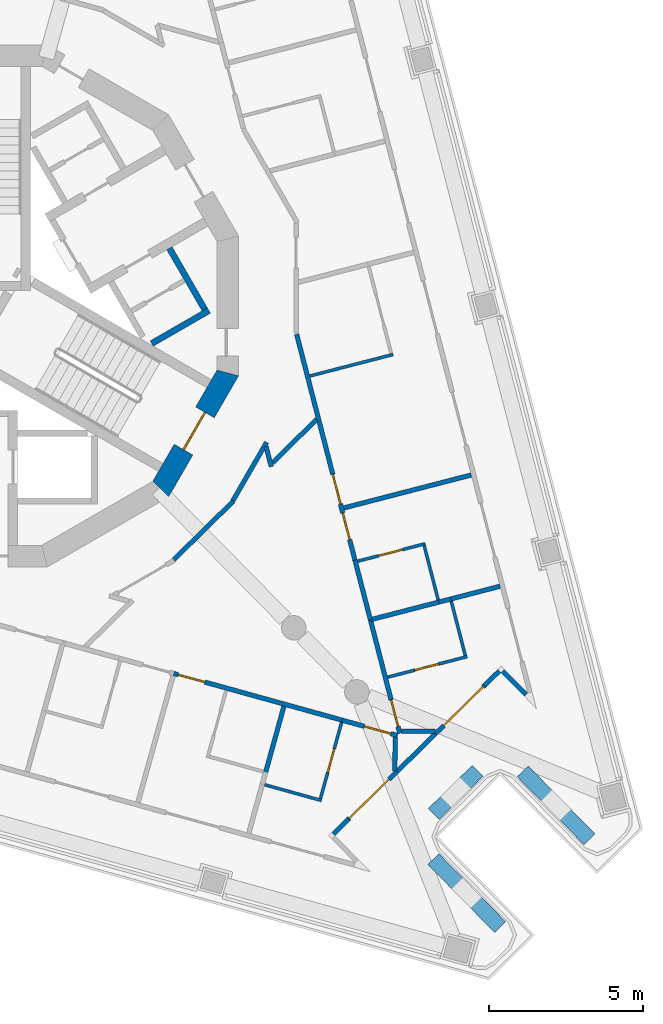
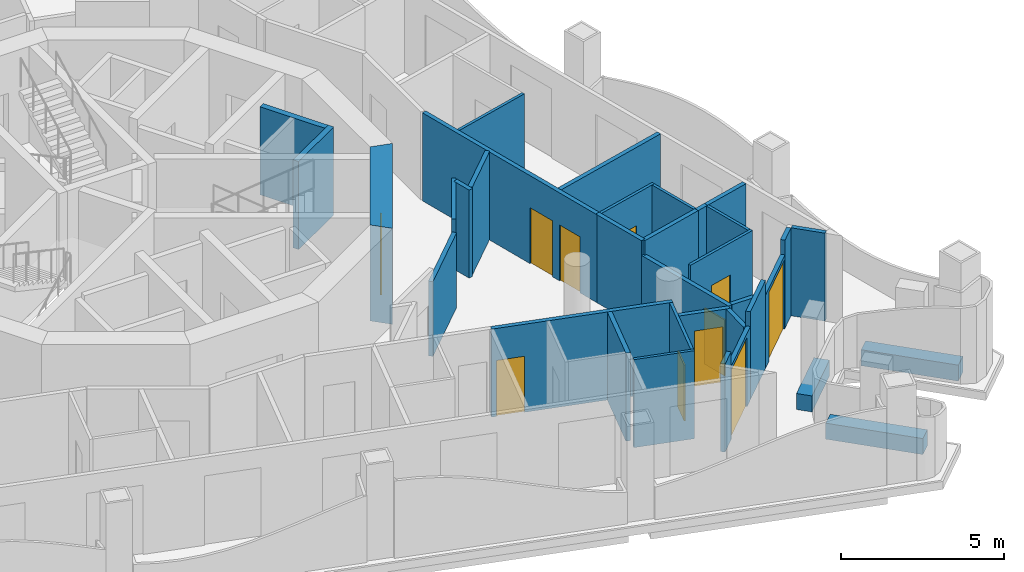
# One storey, part 6 of 14: 35 walls, 11 doors, 11 openings.
"""IFC4 building model written with IfcOpenShell, lengths in metres."""

from ifc_helpers import new_model, si_unit, direction, frame, frame_2d, origin, place, context, subcontext, project, spatial, polyline, rectangle, outline, extrude, material, layer, layer_set, type_object, element, fill, save


model = new_model("IFC4")

# Units and contexts
model_context = context("Model", 3, precision=1e-05, world=origin(), true_north=direction((0.0, 1.0)))
body_context = subcontext(model_context, "Body", "Model", "MODEL_VIEW")
ifc_project = project(units=[si_unit("LENGTHUNIT", "METRE"), si_unit("AREAUNIT", "SQUARE_METRE"), si_unit("VOLUMEUNIT", "CUBIC_METRE"), si_unit("PLANEANGLEUNIT", "RADIAN"), si_unit("MASSUNIT", "GRAM", prefix="KILO")], contexts=[model_context])

# Site, building, storey
site_placement = place(None, origin())
site = spatial("IfcSite", under=ifc_project, at=site_placement, CompositionType="ELEMENT")
building_placement = place(site_placement, origin())
building = spatial("IfcBuilding", under=site, at=building_placement, Name="Trine Commons Tower", CompositionType="ELEMENT")
storey_placement = place(building_placement, frame((0.0, 0.0, 249.300048828125)))
storey = spatial("IfcBuildingStorey", under=building, at=storey_placement, Name="L65", CompositionType="ELEMENT", Elevation=249.300048828125)

# Walls
ifc_material_1 = material(Name="Aluminium-framed insulated wall panel", Category="aluminium")
ifc_layer_1 = layer(ifc_material_1, 0.14990234375)
ifc_layer_set_1 = layer_set([ifc_layer_1], Name="Aluminium-framed insulated wall panel")
wall_type_1 = type_object("IfcWallType", Name="Glazed frame wall 150, EI 60", PredefinedType="SOLIDWALL", material=ifc_layer_set_1)
wall_1_placement = place(storey_placement, frame((97.966796875, 49.731201171875, 0.0), z_axis=(0.0, 0.0, 1.0), x_axis=(-0.700999978355, 0.71316129336, 0.0)))
element("IfcWall", 1, at=wall_1_placement, inside=storey, type_object=wall_type_1, Name="Glazed frame wall R6", PredefinedType="SOLIDWALL", context=body_context, shape_type="SweptSolid", body=[
    extrude(outline(polyline([(0.1494140625, 0.074951171875), (0.1494140625, -0.074951171875), (1.235107421875, -0.074951171875), (1.235107421875, 0.074951171875), (0.1494140625, 0.074951171875)])), origin(), (0.0, 0.0, 1.0), 3.300048828125),
])
wall_2_placement = place(storey_placement, frame((97.073486328125, 50.690185546875, 0.0), z_axis=(0.0, 0.0, 1.0), x_axis=(-0.713183853176, -0.700977026421, 0.0)))
element("IfcWall", 2, at=wall_2_placement, inside=storey, type_object=wall_type_1, Name="Glazed frame wall P2.1", PredefinedType="SOLIDWALL", context=body_context, shape_type="SweptSolid", body=[
    extrude(outline(polyline([(0.110107421875, -0.074951171875), (0.800048828125, -0.074951171875), (0.800048828125, 0.074951171875), (0.110107421875, 0.074951171875), (0.110107421875, -0.074951171875)])), origin(), (0.0, 0.0, 1.0), 3.300048828125),
])

# Wall, opening, door
wall_3_placement = place(storey_placement, frame((96.5029296875, 50.12939453125, 0.0), z_axis=(0.0, 0.0, 1.0), x_axis=(-0.713289197044, -0.70086983198, 0.0)))
wall_3 = element("IfcWall", 3, at=wall_3_placement, inside=storey, type_object=wall_type_1, Name="Glazed frame wall P2.2", PredefinedType="SOLIDWALL", context=body_context, shape_type="SweptSolid", body=[
    extrude(outline(polyline([(0.0, -0.074951171875), (2.221435546875, -0.074951171875), (2.221435546875, 0.074951171875), (0.0, 0.074951171875), (0.0, -0.074951171875)])), origin(), (0.0, 0.0, 1.0), 2.75),
])
opening_1_placement = place(wall_3_placement, frame((0.050048828125, 0.0, 0.0)))
opening_1 = element("IfcOpeningElement", 4, at=opening_1_placement, cuts=wall_3, Name="Opening BD-7P2-01", PredefinedType="OPENING", context=body_context, shape_type="SweptSolid", body=[
    extrude(rectangle(XDim=1.800048828125, YDim=2.60009765625, at=frame_2d((0.89990234375, 1.300048828125))), frame((0.0, 0.0849609375, 0.0), z_axis=(0.0, -1.0, 0.0), x_axis=(1.0, 0.0, 0.0)), (0.0, 0.0, 1.0), 0.169921875),
])
ifc_material_2 = material(Name="Anodised aluminium frame with double glazing", Category="aluminium")
door_type_1 = type_object("IfcDoorType", Name="Sliding loggia door 1800x2600", OperationType="SLIDING_TO_LEFT", PredefinedType="DOOR", material=ifc_material_2)
door_1_placement = place(opening_1_placement, origin())
door_1 = element("IfcDoor", 5, at=door_1_placement, inside=storey, type_object=door_type_1, Name="Loggia door P2 1", OperationType="SLIDING_TO_LEFT", OverallHeight=2.60009765625, OverallWidth=1.800048828125, PredefinedType="DOOR", context=body_context, shape_type="SweptSolid", body=[
    extrude(rectangle(XDim=1.800048828125, YDim=2.60009765625, at=frame_2d((0.89990234375, 1.300048828125))), frame((0.0, 0.02490234375, 0.0), z_axis=(0.0, -1.0, 0.0), x_axis=(1.0, 0.0, 0.0)), (0.0, 0.0, 1.0), 0.050048828125),
])
fill(opening_1, door_1)

# Wall
wall_4_placement = place(storey_placement, frame((94.91845703125, 48.572509765625, 0.0), z_axis=(0.0, 0.0, 1.0), x_axis=(-0.713193839807, -0.700966865737, 0.0)))
element("IfcWall", 6, at=wall_4_placement, inside=storey, type_object=wall_type_1, Name="Glazed frame wall P2.3", PredefinedType="SOLIDWALL", context=body_context, shape_type="SweptSolid", body=[
    extrude(outline(polyline([(0.0, -0.074951171875), (1.757080078125, -0.074951171875), (1.757080078125, 0.074951171875), (0.0, 0.074951171875), (0.0, -0.074951171875)])), origin(), (0.0, 0.0, 1.0), 3.300048828125),
])

# Wall, opening, door
wall_5_placement = place(storey_placement, frame((93.665283203125, 47.3408203125, 0.0), z_axis=(0.0, 0.0, 1.0), x_axis=(-0.713234254618, -0.700925743599, 0.0)))
wall_5 = element("IfcWall", 7, at=wall_5_placement, inside=storey, type_object=wall_type_1, Name="Glazed frame wall P2.4", PredefinedType="SOLIDWALL", context=body_context, shape_type="SweptSolid", body=[
    extrude(outline(polyline([(0.0, -0.074951171875), (2.221435546875, -0.074951171875), (2.221435546875, 0.074951171875), (0.0, 0.074951171875), (0.0, -0.074951171875)])), origin(), (0.0, 0.0, 1.0), 2.75),
])
opening_2_placement = place(wall_5_placement, frame((0.37158203125, 0.0, 0.0)))
opening_2 = element("IfcOpeningElement", 8, at=opening_2_placement, cuts=wall_5, Name="Opening BD-7P2-02", PredefinedType="OPENING", context=body_context, shape_type="SweptSolid", body=[
    extrude(rectangle(XDim=1.800048828125, YDim=2.60009765625, at=frame_2d((0.89990234375, 1.300048828125))), frame((0.0, 0.0849609375, 0.0), z_axis=(0.0, -1.0, 0.0), x_axis=(1.0, 0.0, 0.0)), (0.0, 0.0, 1.0), 0.169921875),
])
door_2_placement = place(opening_2_placement, origin())
door_2 = element("IfcDoor", 9, at=door_2_placement, inside=storey, type_object=door_type_1, Name="Loggia door P2 2", OperationType="SLIDING_TO_LEFT", OverallHeight=2.60009765625, OverallWidth=1.800048828125, PredefinedType="DOOR", context=body_context, shape_type="SweptSolid", body=[
    extrude(rectangle(XDim=1.800048828125, YDim=2.60009765625, at=frame_2d((0.89990234375, 1.300048828125))), frame((0.0, 0.02490234375, 0.0), z_axis=(0.0, -1.0, 0.0), x_axis=(1.0, 0.0, 0.0)), (0.0, 0.0, 1.0), 0.050048828125),
])
fill(opening_2, door_2)

# Walls
wall_6_placement = place(storey_placement, frame((92.080810546875, 45.78369140625, 0.0), z_axis=(0.0, 0.0, 1.0), x_axis=(-0.713333755576, -0.700824480991, 0.0)))
element("IfcWall", 10, at=wall_6_placement, inside=storey, type_object=wall_type_1, Name="Glazed frame wall P2.5", PredefinedType="SOLIDWALL", context=body_context, shape_type="SweptSolid", body=[
    extrude(outline(polyline([(0.68994140625, 0.074951171875), (0.0, 0.074951171875), (0.0, -0.074951171875), (0.68994140625, -0.074951171875), (0.68994140625, 0.074951171875)])), origin(), (0.0, 0.0, 1.0), 3.300048828125),
])
ifc_material_3 = material(Name="Planter trough, precast concrete C40/50", Category="concrete")
ifc_layer_2 = layer(ifc_material_3, 0.5)
ifc_layer_set_2 = layer_set([ifc_layer_2], Name="Planter trough, precast concrete C40/50")
wall_type_2 = type_object("IfcWallType", Name="Planter trough 500x600", PredefinedType="PARAPET", material=ifc_layer_set_2)
wall_7_placement = place(storey_placement, frame((99.927734375, 45.1318359375, 0.0), z_axis=(0.0, 0.0, 1.0), x_axis=(-0.700897681372, 0.713261831481, 0.0)))
element("IfcWall", 11, at=wall_7_placement, inside=storey, type_object=wall_type_2, Name="Planter 7", PredefinedType="PARAPET", context=body_context, shape_type="SweptSolid", body=[
    extrude(rectangle(XDim=3.10009765625, YDim=0.5, at=frame_2d((1.550048828125, 0.0))), origin(), (0.0, 0.0, 1.0), 0.599853515625),
])
wall_8_placement = place(storey_placement, frame((96.2841796875, 47.355712890625, 0.0), z_axis=(0.0, 0.0, 1.0), x_axis=(-0.713305380591, -0.700853361282, 0.0)))
element("IfcWall", 12, at=wall_8_placement, inside=storey, type_object=wall_type_2, Name="Planter 8", PredefinedType="PARAPET", context=body_context, shape_type="SweptSolid", body=[
    extrude(rectangle(XDim=1.999755859375, YDim=0.5, at=frame_2d((1.0, 0.0))), origin(), (0.0, 0.0, 1.0), 0.599853515625),
])
wall_9_placement = place(storey_placement, frame((94.844970703125, 44.4833984375, 0.0), z_axis=(0.0, 0.0, 1.0), x_axis=(0.700857613291, -0.713301202784, 0.0)))
element("IfcWall", 13, at=wall_9_placement, inside=storey, type_object=wall_type_2, Name="Planter 9", PredefinedType="PARAPET", context=body_context, shape_type="SweptSolid", body=[
    extrude(rectangle(XDim=3.099853515625, YDim=0.5, at=frame_2d((1.5498046875, 0.0))), origin(), (0.0, 0.0, 1.0), 0.599853515625),
])

# Wall, opening, door
ifc_material_4 = material(Name="Concrete C50/60", Category="concrete")
ifc_layer_3 = layer(ifc_material_4, 0.699951171875)
ifc_layer_set_3 = layer_set([ifc_layer_3], Name="Concrete C50/60")
wall_type_3 = type_object("IfcWallType", Name="RC shear wall 700 mm, C50/60", PredefinedType="SHEAR", material=ifc_layer_set_3)
wall_10_placement = place(storey_placement, frame((85.91943359375, 56.452392578125, 0.0), z_axis=(0.0, 0.0, 1.0), x_axis=(0.499983800959, 0.866034756103, 0.0)))
wall_10 = element("IfcWall", 14, at=wall_10_placement, inside=storey, type_object=wall_type_3, Name="Core wall CWG-12 L65", PredefinedType="SHEAR", context=body_context, shape_type="SweptSolid", body=[
    extrude(outline(polyline([(0.0, -0.35009765625), (4.55517578125, -0.35009765625), (4.36767578125, 0.35009765625), (0.1875, 0.35009765625), (0.0, -0.35009765625)])), origin(), (0.0, 0.0, 1.0), 3.599853515625),
])
opening_3_placement = place(wall_10_placement, frame((1.577392578125, 0.0, 0.0)))
opening_3 = element("IfcOpeningElement", 15, at=opening_3_placement, cuts=wall_10, Name="Opening K15.03", PredefinedType="OPENING", context=body_context, shape_type="SweptSolid", body=[
    extrude(rectangle(XDim=1.39990234375, YDim=2.10009765625, at=frame_2d((0.699951171875, 1.050048828125))), frame((0.0, 0.35986328125, 0.0), z_axis=(0.0, -1.0, 0.0), x_axis=(1.0, 0.0, 0.0)), (0.0, 0.0, 1.0), 0.719970703125),
])
ifc_material_5 = material(Name="Steel door leaves, fire-rated", Category="steel")
door_type_2 = type_object("IfcDoorType", Name="Stair door, double leaf 1400 x 2100, FD90", OperationType="DOUBLE_DOOR_SINGLE_SWING", PredefinedType="DOOR", material=ifc_material_5)
door_3_placement = place(opening_3_placement, origin())
door_3 = element("IfcDoor", 16, at=door_3_placement, inside=storey, type_object=door_type_2, Name="Stair door to Exit stair ST3C L65", OperationType="DOUBLE_DOOR_SINGLE_SWING", OverallHeight=2.10009765625, OverallWidth=1.39990234375, PredefinedType="DOOR", context=body_context, shape_type="SweptSolid", body=[
    extrude(rectangle(XDim=1.39990234375, YDim=2.10009765625, at=frame_2d((0.699951171875, 1.050048828125))), frame((0.0, 0.02490234375, 0.0), z_axis=(0.0, -1.0, 0.0), x_axis=(1.0, 0.0, 0.0)), (0.0, 0.0, 1.0), 0.050048828125),
])
fill(opening_3, door_3)

# Walls
ifc_material_6 = material(Name="Fire-rated gypsum shaft wall system")
ifc_layer_4 = layer(ifc_material_6, 0.199951171875)
ifc_layer_set_4 = layer_set([ifc_layer_4], Name="Fire-rated gypsum shaft wall system")
wall_type_4 = type_object("IfcWallType", Name="Shaft wall 200 mm, EI 120", PredefinedType="PARTITIONING", material=ifc_layer_set_4)
wall_11_placement = place(storey_placement, frame((85.675048828125, 61.27392578125, 0.0), z_axis=(0.0, 0.0, 1.0), x_axis=(0.866102336459, 0.499866725018, 0.0)))
element("IfcWall", 17, at=wall_11_placement, inside=storey, type_object=wall_type_4, Name="Shaft wall L65", PredefinedType="PARTITIONING", context=body_context, shape_type="SweptSolid", body=[
    extrude(rectangle(XDim=2.1484375, YDim=0.199951171875, at=frame_2d((1.07421875, 0.0))), origin(), (0.0, 0.0, 1.0), 3.300048828125),
])
wall_12_placement = place(storey_placement, frame((86.2490234375, 64.3759765625, 0.0), z_axis=(0.0, 0.0, 1.0), x_axis=(0.500136062276, -0.86594683394, 0.0)))
element("IfcWall", 18, at=wall_12_placement, inside=storey, type_object=wall_type_4, Name="Shaft wall L65", PredefinedType="PARTITIONING", context=body_context, shape_type="SweptSolid", body=[
    extrude(rectangle(XDim=2.299072265625, YDim=0.199951171875, at=frame_2d((1.1494140625, 0.0))), origin(), (0.0, 0.0, 1.0), 3.300048828125),
])
ifc_material_7 = material(Name="Gypsum plasterboard on steel stud", Category="steel")
ifc_layer_5 = layer(ifc_material_7, 0.14990234375)
ifc_layer_set_5 = layer_set([ifc_layer_5], Name="Gypsum plasterboard on steel stud")
wall_type_5 = type_object("IfcWallType", Name="Unit and corridor wall 150 mm, EI 60", PredefinedType="PARTITIONING", material=ifc_layer_set_5)
wall_13_placement = place(storey_placement, frame((86.384521484375, 54.2275390625, 0.0), z_axis=(0.0, 0.0, 1.0), x_axis=(0.713113779806, 0.701048312922, 0.0)))
element("IfcWall", 19, at=wall_13_placement, inside=storey, type_object=wall_type_5, Name="Partition 070", PredefinedType="PARTITIONING", context=body_context, shape_type="SweptSolid", body=[
    extrude(rectangle(XDim=2.731689453125, YDim=0.14990234375, at=frame_2d((1.36572265625, 0.0))), origin(), (0.0, 0.0, 1.0), 2.800048828125),
])

# Wall, opening, door
wall_14_placement = place(storey_placement, frame((86.39111328125, 50.529052734375, 0.0), z_axis=(0.0, 0.0, 1.0), x_axis=(0.963638337946, -0.267209943005, 0.0)))
wall_14 = element("IfcWall", 20, at=wall_14_placement, inside=storey, type_object=wall_type_5, Name="Partition 071", PredefinedType="PARTITIONING", context=body_context, shape_type="SweptSolid", body=[
    extrude(rectangle(XDim=5.74609375, YDim=0.14990234375, at=frame_2d((2.873046875, 0.0))), origin(), (0.0, 0.0, 1.0), 3.300048828125),
])
opening_4_placement = place(wall_14_placement, frame((0.14990234375, 0.0, 0.0)))
opening_4 = element("IfcOpeningElement", 21, at=opening_4_placement, cuts=wall_14, Name="Opening D-7B17", PredefinedType="OPENING", context=body_context, shape_type="SweptSolid", body=[
    extrude(rectangle(XDim=0.89990234375, YDim=2.10009765625, at=frame_2d((0.449951171875, 1.050048828125))), frame((0.0, 0.0849609375, 0.0), z_axis=(0.0, -1.0, 0.0), x_axis=(1.0, 0.0, 0.0)), (0.0, 0.0, 1.0), 0.169921875),
])
ifc_material_8 = material(Name="Timber fire door set", Category="wood")
door_type_3 = type_object("IfcDoorType", Name="Bedroom door 900 x 2100, FD30S", OperationType="NOTDEFINED", PredefinedType="DOOR", material=ifc_material_8)
door_4_placement = place(opening_4_placement, frame((0.89990234375, 0.0, 0.0), z_axis=(0.0, 0.0, 1.0), x_axis=(-1.0, 0.0, 0.0)))
door_4 = element("IfcDoor", 22, at=door_4_placement, inside=storey, type_object=door_type_3, Name="Door D-7B17", OperationType="SINGLE_SWING_RIGHT", OverallHeight=2.10009765625, OverallWidth=0.89990234375, PredefinedType="DOOR", context=body_context, shape_type="SweptSolid", body=[
    extrude(rectangle(XDim=0.89990234375, YDim=2.10009765625, at=frame_2d((0.449951171875, 1.050048828125))), frame((0.0, 0.02490234375, 0.0), z_axis=(0.0, -1.0, 0.0), x_axis=(1.0, 0.0, 0.0)), (0.0, 0.0, 1.0), 0.050048828125),
])
fill(opening_4, door_4)

# Walls
wall_15_placement = place(storey_placement, frame((88.31640625, 56.15478515625, 0.0), z_axis=(0.0, 0.0, 1.0), x_axis=(0.500129524705, 0.865950609745, 0.0)))
element("IfcWall", 23, at=wall_15_placement, inside=storey, type_object=wall_type_5, Name="Partition 080", PredefinedType="PARTITIONING", context=body_context, shape_type="SweptSolid", body=[
    extrude(rectangle(XDim=2.19775390625, YDim=0.14990234375, at=frame_2d((1.098876953125, 0.0))), origin(), (0.0, 0.0, 1.0), 3.300048828125),
])
wall_16_placement = place(storey_placement, frame((89.396728515625, 57.92041015625, 0.0), z_axis=(0.0, 0.0, 1.0), x_axis=(0.249398389606, -0.968400972357, 0.0)))
element("IfcWall", 24, at=wall_16_placement, inside=storey, type_object=wall_type_5, Name="Partition 087", PredefinedType="PARTITIONING", context=body_context, shape_type="SweptSolid", body=[
    extrude(rectangle(XDim=0.677490234375, YDim=0.14990234375, at=frame_2d((0.3388671875, 0.0))), origin(), (0.0, 0.0, 1.0), 3.300048828125),
])
wall_17_placement = place(storey_placement, frame((89.36865234375, 47.259765625, 0.0), z_axis=(0.0, 0.0, 1.0), x_axis=(0.266876022504, 0.963730869388, 0.0)))
element("IfcWall", 25, at=wall_17_placement, inside=storey, type_object=wall_type_5, Name="Partition 088", PredefinedType="PARTITIONING", context=body_context, shape_type="SweptSolid", body=[
    extrude(rectangle(XDim=2.27978515625, YDim=0.14990234375, at=frame_2d((1.139892578125, 0.0))), origin(), (0.0, 0.0, 1.0), 3.300048828125),
])
wall_18_placement = place(storey_placement, frame((89.60546875, 57.3896484375, 0.0), z_axis=(0.0, 0.0, 1.0), x_axis=(0.713082264155, 0.701080369535, 0.0)))
element("IfcWall", 26, at=wall_18_placement, inside=storey, type_object=wall_type_5, Name="Partition 092", PredefinedType="PARTITIONING", context=body_context, shape_type="SweptSolid", body=[
    extrude(rectangle(XDim=2.013916015625, YDim=0.14990234375, at=frame_2d((1.0068359375, 0.0))), origin(), (0.0, 0.0, 1.0), 3.300048828125),
])

# Wall, openings, doors
wall_19_placement = place(storey_placement, frame((90.39208984375, 61.576904296875, 0.0), z_axis=(0.0, 0.0, 1.0), x_axis=(0.250037106066, -0.968236255048, 0.0)))
wall_19 = element("IfcWall", 27, at=wall_19_placement, inside=storey, type_object=wall_type_5, Name="Partition 095", PredefinedType="PARTITIONING", context=body_context, shape_type="SweptSolid", body=[
    extrude(rectangle(XDim=7.657958984375, YDim=0.14990234375, at=frame_2d((3.8291015625, 0.0))), origin(), (0.0, 0.0, 1.0), 3.300048828125),
])
opening_5_placement = place(wall_19_placement, frame((4.7119140625, 0.0, 0.0)))
opening_5 = element("IfcOpeningElement", 28, at=opening_5_placement, cuts=wall_19, Name="Opening D-7B13", PredefinedType="OPENING", context=body_context, shape_type="SweptSolid", body=[
    extrude(rectangle(XDim=1.0, YDim=2.10009765625, at=frame_2d((0.5, 1.050048828125))), frame((0.0, 0.0849609375, 0.0), z_axis=(0.0, -1.0, 0.0), x_axis=(1.0, 0.0, 0.0)), (0.0, 0.0, 1.0), 0.169921875),
])
opening_6_placement = place(wall_19_placement, frame((6.011962890625, 0.0, 0.0)))
opening_6 = element("IfcOpeningElement", 29, at=opening_6_placement, cuts=wall_19, Name="Opening D-7B14", PredefinedType="OPENING", context=body_context, shape_type="SweptSolid", body=[
    extrude(rectangle(XDim=0.89990234375, YDim=2.10009765625, at=frame_2d((0.449951171875, 1.050048828125))), frame((0.0, 0.0849609375, 0.0), z_axis=(0.0, -1.0, 0.0), x_axis=(1.0, 0.0, 0.0)), (0.0, 0.0, 1.0), 0.169921875),
])
door_type_4 = type_object("IfcDoorType", Name="Bedroom door 1000 x 2100, FD30S", OperationType="NOTDEFINED", PredefinedType="DOOR", material=ifc_material_8)
door_5_placement = place(opening_5_placement, origin())
door_5 = element("IfcDoor", 30, at=door_5_placement, inside=storey, type_object=door_type_4, Name="Door D-7B13", OperationType="SINGLE_SWING_RIGHT", OverallHeight=2.10009765625, OverallWidth=1.0, PredefinedType="DOOR", context=body_context, shape_type="SweptSolid", body=[
    extrude(rectangle(XDim=1.0, YDim=2.10009765625, at=frame_2d((0.5, 1.050048828125))), frame((0.0, 0.02490234375, 0.0), z_axis=(0.0, -1.0, 0.0), x_axis=(1.0, 0.0, 0.0)), (0.0, 0.0, 1.0), 0.050048828125),
])
fill(opening_5, door_5)
door_6_placement = place(opening_6_placement, origin())
door_6 = element("IfcDoor", 31, at=door_6_placement, inside=storey, type_object=door_type_3, Name="Door D-7B14", OperationType="SINGLE_SWING_RIGHT", OverallHeight=2.10009765625, OverallWidth=0.89990234375, PredefinedType="DOOR", context=body_context, shape_type="SweptSolid", body=[
    extrude(rectangle(XDim=0.89990234375, YDim=2.10009765625, at=frame_2d((0.449951171875, 1.050048828125))), frame((0.0, 0.02490234375, 0.0), z_axis=(0.0, -1.0, 0.0), x_axis=(1.0, 0.0, 0.0)), (0.0, 0.0, 1.0), 0.050048828125),
])
fill(opening_6, door_6)

# Wall
wall_20_placement = place(storey_placement, frame((91.9296875, 55.919921875, 0.0), z_axis=(0.0, 0.0, 1.0), x_axis=(0.968143339783, 0.250396632634, 0.0)))
element("IfcWall", 32, at=wall_20_placement, inside=storey, type_object=wall_type_5, Name="Partition 100", PredefinedType="PARTITIONING", context=body_context, shape_type="SweptSolid", body=[
    extrude(rectangle(XDim=4.28515625, YDim=0.14990234375, at=frame_2d((2.142578125, 0.0))), origin(), (0.0, 0.0, 1.0), 3.300048828125),
])

# Wall, opening, door
wall_21_placement = place(storey_placement, frame((91.8720703125, 49.009033203125, 0.0), z_axis=(0.0, 0.0, 1.0), x_axis=(0.963678404511, -0.26706540899, 0.0)))
wall_21 = element("IfcWall", 33, at=wall_21_placement, inside=storey, type_object=wall_type_5, Name="Partition 101", PredefinedType="PARTITIONING", context=body_context, shape_type="SweptSolid", body=[
    extrude(rectangle(XDim=1.872314453125, YDim=0.14990234375, at=frame_2d((0.93603515625, 0.0))), origin(), (0.0, 0.0, 1.0), 2.75),
])
opening_7_placement = place(wall_21_placement, frame((0.747314453125, 0.0, 0.0)))
opening_7 = element("IfcOpeningElement", 34, at=opening_7_placement, cuts=wall_21, Name="Opening D-7B16", PredefinedType="OPENING", context=body_context, shape_type="SweptSolid", body=[
    extrude(rectangle(XDim=0.89990234375, YDim=2.10009765625, at=frame_2d((0.449951171875, 1.050048828125))), frame((0.0, 0.0849609375, 0.0), z_axis=(0.0, -1.0, 0.0), x_axis=(1.0, 0.0, 0.0)), (0.0, 0.0, 1.0), 0.169921875),
])
door_7_placement = place(opening_7_placement, frame((0.89990234375, 0.0, 0.0), z_axis=(0.0, 0.0, 1.0), x_axis=(-1.0, 0.0, 0.0)))
door_7 = element("IfcDoor", 35, at=door_7_placement, inside=storey, type_object=door_type_3, Name="Door D-7B16", OperationType="SINGLE_SWING_LEFT", OverallHeight=2.10009765625, OverallWidth=0.89990234375, PredefinedType="DOOR", context=body_context, shape_type="SweptSolid", body=[
    extrude(rectangle(XDim=0.89990234375, YDim=2.10009765625, at=frame_2d((0.449951171875, 1.050048828125))), frame((0.0, 0.02490234375, 0.0), z_axis=(0.0, -1.0, 0.0), x_axis=(1.0, 0.0, 0.0)), (0.0, 0.0, 1.0), 0.050048828125),
])
fill(opening_7, door_7)

# Wall
wall_22_placement = place(storey_placement, frame((92.29248046875, 54.218505859375, 0.0), z_axis=(0.0, 0.0, 1.0), x_axis=(0.250620480833, -0.968085416989, 0.0)))
element("IfcWall", 36, at=wall_22_placement, inside=storey, type_object=wall_type_5, Name="Partition 102", PredefinedType="PARTITIONING", context=body_context, shape_type="SweptSolid", body=[
    extrude(rectangle(XDim=2.0087890625, YDim=0.14990234375, at=frame_2d((1.00439453125, 0.0))), origin(), (0.0, 0.0, 1.0), 3.300048828125),
])

# Wall, opening, door
wall_23_placement = place(storey_placement, frame((92.7939453125, 52.281982421875, 0.0), z_axis=(0.0, 0.0, 1.0), x_axis=(0.250312632004, -0.968165061474, 0.0)))
wall_23 = element("IfcWall", 37, at=wall_23_placement, inside=storey, type_object=wall_type_5, Name="Partition 106", PredefinedType="PARTITIONING", context=body_context, shape_type="SweptSolid", body=[
    extrude(rectangle(XDim=3.822265625, YDim=0.14990234375, at=frame_2d((1.9111328125, 0.0))), origin(), (0.0, 0.0, 1.0), 2.75),
])
opening_8_placement = place(wall_23_placement, frame((2.697265625, 0.0, 0.0)))
opening_8 = element("IfcOpeningElement", 38, at=opening_8_placement, cuts=wall_23, Name="Opening D-7B15", PredefinedType="OPENING", context=body_context, shape_type="SweptSolid", body=[
    extrude(rectangle(XDim=0.89990234375, YDim=2.10009765625, at=frame_2d((0.449951171875, 1.050048828125))), frame((0.0, 0.0849609375, 0.0), z_axis=(0.0, -1.0, 0.0), x_axis=(1.0, 0.0, 0.0)), (0.0, 0.0, 1.0), 0.169921875),
])
door_8_placement = place(opening_8_placement, origin())
door_8 = element("IfcDoor", 39, at=door_8_placement, inside=storey, type_object=door_type_3, Name="Door D-7B15", OperationType="SINGLE_SWING_RIGHT", OverallHeight=2.10009765625, OverallWidth=0.89990234375, PredefinedType="DOOR", context=body_context, shape_type="SweptSolid", body=[
    extrude(rectangle(XDim=0.89990234375, YDim=2.10009765625, at=frame_2d((0.449951171875, 1.050048828125))), frame((0.0, 0.02490234375, 0.0), z_axis=(0.0, -1.0, 0.0), x_axis=(1.0, 0.0, 0.0)), (0.0, 0.0, 1.0), 0.050048828125),
])
fill(opening_8, door_8)

# Walls
wall_24_placement = place(storey_placement, frame((92.794921875, 52.278076171875, 0.0), z_axis=(0.0, 0.0, 1.0), x_axis=(0.968123831928, 0.250472046449, 0.0)))
element("IfcWall", 40, at=wall_24_placement, inside=storey, type_object=wall_type_5, Name="Partition 107", PredefinedType="PARTITIONING", context=body_context, shape_type="SweptSolid", body=[
    extrude(rectangle(XDim=2.29931640625, YDim=0.14990234375, at=frame_2d((1.149658203125, 0.0))), origin(), (0.0, 0.0, 1.0), 3.300048828125),
])
for number, where, z_axis, x_axis, name in (
    (41, (93.589599609375, 47.35595703125, 0.0), (0.0, 0.0, 1.0), (0.012226742726, 0.999925250587, 0.0), "Partition 109"),
    (42, (93.806884765625, 48.653564453125, 0.0), (0.0, 0.0, 1.0), (0.999983294214, -0.005780250256, 0.0), "Partition 110"),
):
    element("IfcWall", number, at=place(storey_placement, frame(where, z_axis=z_axis, x_axis=x_axis)), inside=storey, type_object=wall_type_5, Name=name, PredefinedType="PARTITIONING", context=body_context, shape_type="SweptSolid", body=[
        extrude(rectangle(XDim=1.09814453125, YDim=0.14990234375, at=frame_2d((0.549072265625, 0.0))), origin(), (0.0, 0.0, 1.0), 2.75),
    ])
wall_25_placement = place(storey_placement, frame((95.02099609375, 52.85400390625, 0.0), z_axis=(0.0, 0.0, 1.0), x_axis=(0.968343173742, 0.249622711039, 0.0)))
element("IfcWall", 43, at=wall_25_placement, inside=storey, type_object=wall_type_5, Name="Partition 112", PredefinedType="PARTITIONING", context=body_context, shape_type="SweptSolid", body=[
    extrude(rectangle(XDim=0.405029296875, YDim=0.14990234375, at=frame_2d((0.20263671875, 0.0))), origin(), (0.0, 0.0, 1.0), 3.300048828125),
])
wall_26_placement = place(storey_placement, frame((95.405029296875, 52.952880859375, 0.0), z_axis=(0.0, 0.0, 1.0), x_axis=(0.968213134731, 0.250126619403, 0.0)))
element("IfcWall", 44, at=wall_26_placement, inside=storey, type_object=wall_type_5, Name="Partition 113", PredefinedType="PARTITIONING", context=body_context, shape_type="SweptSolid", body=[
    extrude(rectangle(XDim=1.663330078125, YDim=0.14990234375, at=frame_2d((0.83154296875, 0.0))), origin(), (0.0, 0.0, 1.0), 3.300048828125),
])
ifc_layer_6 = layer(ifc_material_7, 0.10009765625)
ifc_layer_set_6 = layer_set([ifc_layer_6], Name="Gypsum plasterboard on steel stud")
wall_type_6 = type_object("IfcWallType", Name="Unit partition 100 mm, no rating", PredefinedType="PARTITIONING", material=ifc_layer_set_6)
wall_27_placement = place(storey_placement, frame((89.348388671875, 46.906982421875, 0.0), z_axis=(0.0, 0.0, 1.0), x_axis=(0.963625049046, -0.267257862095, 0.0)))
element("IfcWall", 45, at=wall_27_placement, inside=storey, type_object=wall_type_6, Name="Partition 086", PredefinedType="PARTITIONING", context=body_context, shape_type="SweptSolid", body=[
    extrude(rectangle(XDim=1.9248046875, YDim=0.10009765625, at=frame_2d((0.96240234375, 0.0))), origin(), (0.0, 0.0, 1.0), 3.300048828125),
])
wall_28_placement = place(storey_placement, frame((90.819580078125, 60.21484375, 0.0), z_axis=(0.0, 0.0, 1.0), x_axis=(0.96814254182, 0.25039971789, 0.0)))
element("IfcWall", 46, at=wall_28_placement, inside=storey, type_object=wall_type_6, Name="Partition 096", PredefinedType="PARTITIONING", context=body_context, shape_type="SweptSolid", body=[
    extrude(rectangle(XDim=2.80224609375, YDim=0.10009765625, at=frame_2d((1.401123046875, 0.0))), origin(), (0.0, 0.0, 1.0), 3.300048828125),
])

# Wall, opening, door
wall_29_placement = place(storey_placement, frame((91.16845703125, 46.4541015625, 0.0), z_axis=(0.0, 0.0, 1.0), x_axis=(0.266973908606, 0.96370375745, 0.0)))
wall_29 = element("IfcWall", 47, at=wall_29_placement, inside=storey, type_object=wall_type_6, Name="Partition 098", PredefinedType="PARTITIONING", context=body_context, shape_type="SweptSolid", body=[
    extrude(rectangle(XDim=2.5751953125, YDim=0.10009765625, at=frame_2d((1.28759765625, 0.0))), origin(), (0.0, 0.0, 1.0), 3.300048828125),
])
opening_9_placement = place(wall_29_placement, frame((0.8876953125, 0.0, 0.0)))
opening_9 = element("IfcOpeningElement", 48, at=opening_9_placement, cuts=wall_29, Name="Opening D-7B35", PredefinedType="OPENING", context=body_context, shape_type="SweptSolid", body=[
    extrude(rectangle(XDim=0.800048828125, YDim=2.10009765625, at=frame_2d((0.39990234375, 1.050048828125))), frame((0.0, 0.06005859375, 0.0), z_axis=(0.0, -1.0, 0.0), x_axis=(1.0, 0.0, 0.0)), (0.0, 0.0, 1.0), 0.1201171875),
])
ifc_material_9 = material(Name="Painted timber", Category="wood")
door_type_5 = type_object("IfcDoorType", Name="Internal door 800 x 2100, NOT RATED", OperationType="NOTDEFINED", PredefinedType="DOOR", material=ifc_material_9)
door_9_placement = place(opening_9_placement, frame((0.800048828125, 0.0, 0.0), z_axis=(0.0, 0.0, 1.0), x_axis=(-1.0, 0.0, 0.0)))
door_9 = element("IfcDoor", 49, at=door_9_placement, inside=storey, type_object=door_type_5, Name="Door D-7B35", OperationType="SINGLE_SWING_LEFT", OverallHeight=2.10009765625, OverallWidth=0.800048828125, PredefinedType="DOOR", context=body_context, shape_type="SweptSolid", body=[
    extrude(rectangle(XDim=0.800048828125, YDim=2.10009765625, at=frame_2d((0.39990234375, 1.050048828125))), frame((0.0, 0.02490234375, 0.0), z_axis=(0.0, -1.0, 0.0), x_axis=(1.0, 0.0, 0.0)), (0.0, 0.0, 1.0), 0.050048828125),
])
fill(opening_9, door_9)

wall_30_placement = place(storey_placement, frame((92.378662109375, 54.184814453125, 0.0), z_axis=(0.0, 0.0, 1.0), x_axis=(0.968154087165, 0.250355074856, 0.0)))
wall_30 = element("IfcWall", 50, at=wall_30_placement, inside=storey, type_object=wall_type_6, Name="Partition 103", PredefinedType="PARTITIONING", context=body_context, shape_type="SweptSolid", body=[
    extrude(rectangle(XDim=2.275146484375, YDim=0.10009765625, at=frame_2d((1.1376953125, 0.0))), origin(), (0.0, 0.0, 1.0), 3.300048828125),
])
opening_10_placement = place(wall_30_placement, frame((0.712646484375, 0.0, 0.0)))
opening_10 = element("IfcOpeningElement", 51, at=opening_10_placement, cuts=wall_30, Name="Opening D-7B33", PredefinedType="OPENING", context=body_context, shape_type="SweptSolid", body=[
    extrude(rectangle(XDim=0.800048828125, YDim=2.10009765625, at=frame_2d((0.39990234375, 1.050048828125))), frame((0.0, 0.06005859375, 0.0), z_axis=(0.0, -1.0, 0.0), x_axis=(1.0, 0.0, 0.0)), (0.0, 0.0, 1.0), 0.1201171875),
])
door_10_placement = place(opening_10_placement, origin())
door_10 = element("IfcDoor", 52, at=door_10_placement, inside=storey, type_object=door_type_5, Name="Door D-7B33", OperationType="SINGLE_SWING_LEFT", OverallHeight=2.10009765625, OverallWidth=0.800048828125, PredefinedType="DOOR", context=body_context, shape_type="SweptSolid", body=[
    extrude(rectangle(XDim=0.800048828125, YDim=2.10009765625, at=frame_2d((0.39990234375, 1.050048828125))), frame((0.0, 0.02490234375, 0.0), z_axis=(0.0, -1.0, 0.0), x_axis=(1.0, 0.0, 0.0)), (0.0, 0.0, 1.0), 0.050048828125),
])
fill(opening_10, door_10)

wall_31_placement = place(storey_placement, frame((93.355712890625, 50.40869140625, 0.0), z_axis=(0.0, 0.0, 1.0), x_axis=(0.968128980119, 0.250452146832, 0.0)))
wall_31 = element("IfcWall", 53, at=wall_31_placement, inside=storey, type_object=wall_type_6, Name="Partition 108", PredefinedType="PARTITIONING", context=body_context, shape_type="SweptSolid", body=[
    extrude(rectangle(XDim=2.6748046875, YDim=0.10009765625, at=frame_2d((1.33740234375, 0.0))), origin(), (0.0, 0.0, 1.0), 3.300048828125),
])
opening_11_placement = place(wall_31_placement, frame((0.91259765625, 0.0, 0.0)))
opening_11 = element("IfcOpeningElement", 54, at=opening_11_placement, cuts=wall_31, Name="Opening D-7B34", PredefinedType="OPENING", context=body_context, shape_type="SweptSolid", body=[
    extrude(rectangle(XDim=0.800048828125, YDim=2.10009765625, at=frame_2d((0.39990234375, 1.050048828125))), frame((0.0, 0.06005859375, 0.0), z_axis=(0.0, -1.0, 0.0), x_axis=(1.0, 0.0, 0.0)), (0.0, 0.0, 1.0), 0.1201171875),
])
door_11_placement = place(opening_11_placement, frame((0.800048828125, 0.0, 0.0), z_axis=(0.0, 0.0, 1.0), x_axis=(-1.0, 0.0, 0.0)))
door_11 = element("IfcDoor", 55, at=door_11_placement, inside=storey, type_object=door_type_5, Name="Door D-7B34", OperationType="SINGLE_SWING_RIGHT", OverallHeight=2.10009765625, OverallWidth=0.800048828125, PredefinedType="DOOR", context=body_context, shape_type="SweptSolid", body=[
    extrude(rectangle(XDim=0.800048828125, YDim=2.10009765625, at=frame_2d((0.39990234375, 1.050048828125))), frame((0.0, 0.02490234375, 0.0), z_axis=(0.0, -1.0, 0.0), x_axis=(1.0, 0.0, 0.0)), (0.0, 0.0, 1.0), 0.050048828125),
])
fill(opening_11, door_11)

# Walls
wall_32_placement = place(storey_placement, frame((94.54541015625, 54.693603515625, 0.0), z_axis=(0.0, 0.0, 1.0), x_axis=(0.250270413218, -0.968175975878, 0.0)))
element("IfcWall", 56, at=wall_32_placement, inside=storey, type_object=wall_type_6, Name="Partition 111", PredefinedType="PARTITIONING", context=body_context, shape_type="SweptSolid", body=[
    extrude(rectangle(XDim=1.8251953125, YDim=0.10009765625, at=frame_2d((0.91259765625, 0.0))), origin(), (0.0, 0.0, 1.0), 3.300048828125),
])
wall_33_placement = place(storey_placement, frame((95.427734375, 52.88134765625, 0.0), z_axis=(0.0, 0.0, 1.0), x_axis=(0.250302828805, -0.968167595973, 0.0)))
element("IfcWall", 57, at=wall_33_placement, inside=storey, type_object=wall_type_6, Name="Partition 114", PredefinedType="PARTITIONING", context=body_context, shape_type="SweptSolid", body=[
    extrude(rectangle(XDim=1.824951171875, YDim=0.10009765625, at=frame_2d((0.91259765625, 0.0))), origin(), (0.0, 0.0, 1.0), 3.300048828125),
])

save(model, "model.ifc")
